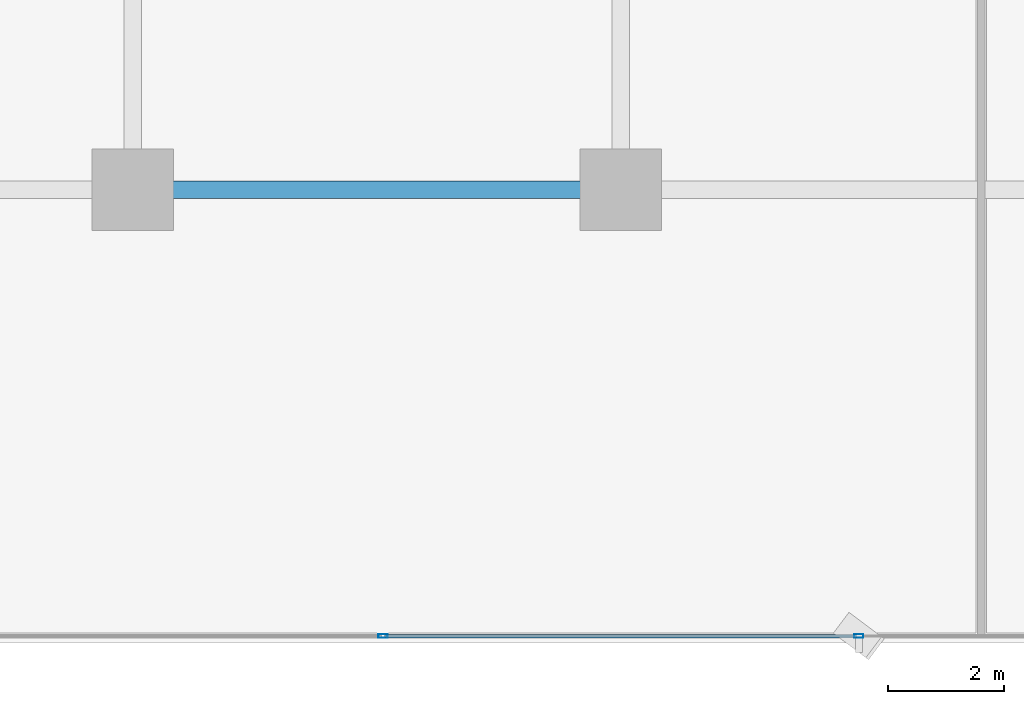
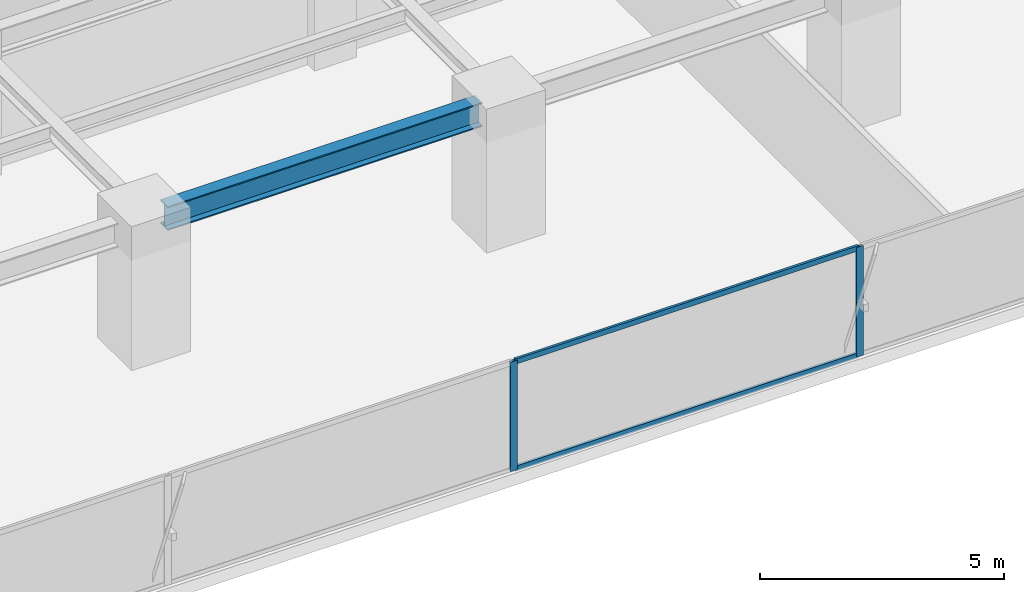
# One storey, part 6 of 36: 4 members, 1 beam, 1 element without a shape of its own.
"""IFC4 building model written with IfcOpenShell, lengths in metres."""

from ifc_helpers import new_model, si_unit, direction, frame, origin, origin_2d, place, context, subcontext, project, spatial, hollow_rectangle, i_section, extrude, source, transform, mapped, material, layer, layer_set, material_profile, profile_set, type_object, element, aggregate, save


model = new_model("IFC4")

# Units and contexts
model_context = context("Model", 3, precision=1e-05, world=origin(), true_north=direction((0.0, 1.0)))
body_context = subcontext(model_context, "Body", "Model", "MODEL_VIEW")
ifc_project = project(units=[si_unit("LENGTHUNIT", "METRE"), si_unit("AREAUNIT", "SQUARE_METRE"), si_unit("VOLUMEUNIT", "CUBIC_METRE"), si_unit("PLANEANGLEUNIT", "RADIAN"), si_unit("MASSUNIT", "GRAM", prefix="KILO")], contexts=[model_context])

# Site, building, storey
site_placement = place(None, origin())
site = spatial("IfcSite", under=ifc_project, at=site_placement, CompositionType="ELEMENT")
building_placement = place(site_placement, origin())
building = spatial("IfcBuilding", under=site, at=building_placement, Name="Sumidabori Civic Tower", CompositionType="ELEMENT")
storey_placement = place(building_placement, frame((0.0, 0.0, 77.60009765625)))
storey = spatial("IfcBuildingStorey", under=building, at=storey_placement, Name="L19", CompositionType="ELEMENT", Elevation=77.60009765625)

# Beam
ifc_material_1 = material(Name="Steel SN490", Category="steel")
ifc_material_profile_1 = material_profile(ifc_material_1, i_section(OverallWidth=0.300048828125, OverallDepth=0.60009765625, WebThickness=0.015380859375, FlangeThickness=0.030029296875, at=origin_2d()), Name="HE 600 B")
ifc_profile_set_1 = profile_set([ifc_material_profile_1], Name="Steel SN490")
beam_type = type_object("IfcBeamType", Name="BM-GIRD-600", PredefinedType="BEAM", material=ifc_profile_set_1)
shared_shape_1 = source(origin(), body_context, "Body", "SweptSolid", [
    extrude(i_section(OverallWidth=0.300048828125, OverallDepth=0.60009765625, WebThickness=0.015380859375, FlangeThickness=0.030029296875, at=origin_2d()), origin(), (0.0, 0.0, 1.0), 7.43994140625),
])
beam_placement = place(storey_placement, frame((-7.919921875, -18.0, 3.059814453125), z_axis=(1.0, 0.0, 0.0), x_axis=(0.0, 1.0, 0.0)))
element("IfcBeam", 1, at=beam_placement, inside=storey, type_object=beam_type, Name="Primary Girder L19 GX-03", PredefinedType="BEAM", context=body_context, shape_type="MappedRepresentation", body=[
    mapped(shared_shape_1, transform((0.0, 0.0, 0.0), x_axis=(1.0, 0.0, 0.0), y_axis=(0.0, 1.0, 0.0), z_axis=(0.0, 0.0, 1.0), scale=1.0)),
])

# Curtain wall, members
ifc_material_2 = material(Name="Anodised Bronze Aluminium AW-6063-T6", Category="aluminium")
ifc_layer = layer(ifc_material_2, 0.179931640625, Name="Anodised Bronze Aluminium AW-6063-T6")
ifc_layer_set = layer_set([ifc_layer], Name="Anodised Bronze Aluminium AW-6063-T6")
curtain_wall_type = type_object("IfcCurtainWallType", Name="CW-SYS-3", PredefinedType="NOTDEFINED", material=ifc_layer_set)
curtain_wall_placement = place(storey_placement, origin())
curtain_wall = element("IfcCurtainWall", 2, at=curtain_wall_placement, inside=storey, type_object=curtain_wall_type, Name="Curtain Wall CW:L19:R01", PredefinedType="NOTDEFINED")
ifc_material_profile_2 = material_profile(ifc_material_2, hollow_rectangle(XDim=0.06494140625, YDim=0.159912109375, WallThickness=0.0048828125, at=origin_2d()), Name="ALU MULLION 160x65")
ifc_profile_set_2 = profile_set([ifc_material_profile_2], Name="Anodised Bronze Aluminium AW-6063-T6")
member_type_1 = type_object("IfcMemberType", Name="CW-MUL-160", PredefinedType="MULLION", material=ifc_profile_set_2)
shared_shape_2 = source(origin(), body_context, "Body", "SweptSolid", [
    extrude(hollow_rectangle(XDim=0.06494140625, YDim=0.159912109375, WallThickness=0.0048828125, at=origin_2d()), origin(), (0.0, 0.0, 1.0), 2.739990234375),
])
member_1_placement = place(storey_placement, frame((-4.093994140625, -25.679931640625, 0.0), z_axis=(0.0, 0.0, 1.0), x_axis=(0.0, 1.0, 0.0)))
member_1 = element("IfcMember", 3, at=member_1_placement, type_object=member_type_1, Name="CW-3 mullion 3", PredefinedType="MULLION", context=body_context, shape_type="MappedRepresentation", body=[
    mapped(shared_shape_2, transform((0.0, 0.0, 0.0), x_axis=(1.0, 0.0, 0.0), y_axis=(0.0, 1.0, 0.0), z_axis=(0.0, 0.0, 1.0), scale=1.0)),
])
member_2_placement = place(storey_placement, frame((4.093994140625, -25.679931640625, 0.0), z_axis=(0.0, 0.0, 1.0), x_axis=(0.0, 1.0, 0.0)))
member_2 = element("IfcMember", 4, at=member_2_placement, type_object=member_type_1, Name="CW-3 mullion 4", PredefinedType="MULLION", context=body_context, shape_type="MappedRepresentation", body=[
    mapped(shared_shape_2, transform((0.0, 0.0, 0.0), x_axis=(1.0, 0.0, 0.0), y_axis=(0.0, 1.0, 0.0), z_axis=(0.0, 0.0, 1.0), scale=1.0)),
])
ifc_material_profile_3 = material_profile(ifc_material_2, hollow_rectangle(XDim=0.06005859375, YDim=0.1298828125, WallThickness=0.0048828125, at=origin_2d()), Name="ALU TRANSOM 130x60")
ifc_profile_set_3 = profile_set([ifc_material_profile_3], Name="Anodised Bronze Aluminium AW-6063-T6")
member_type_2 = type_object("IfcMemberType", Name="CW-TRN-130", PredefinedType="USERDEFINED", material=ifc_profile_set_3)
shared_shape_3 = source(origin(), body_context, "Body", "SweptSolid", [
    extrude(hollow_rectangle(XDim=0.06005859375, YDim=0.1298828125, WallThickness=0.0048828125, at=origin_2d()), origin(), (0.0, 0.0, 1.0), 8.123046875),
])
member_3_placement = place(storey_placement, frame((-4.0615234375, -25.679931640625, 0.02978515625), z_axis=(1.0, 0.0, 0.0), x_axis=(0.0, 1.0, 0.0)))
member_3 = element("IfcMember", 5, at=member_3_placement, type_object=member_type_2, Name="CW-3 transom 3.1", ObjectType="TRANSOM", PredefinedType="USERDEFINED", context=body_context, shape_type="MappedRepresentation", body=[
    mapped(shared_shape_3, transform((0.0, 0.0, 0.0), x_axis=(1.0, 0.0, 0.0), y_axis=(0.0, 1.0, 0.0), z_axis=(0.0, 0.0, 1.0), scale=1.0)),
])
member_4_placement = place(storey_placement, frame((-4.0615234375, -25.679931640625, 2.7099609375), z_axis=(1.0, 0.0, 0.0), x_axis=(0.0, 1.0, 0.0)))
member_4 = element("IfcMember", 6, at=member_4_placement, type_object=member_type_2, Name="CW-3 transom 3.2", ObjectType="TRANSOM", PredefinedType="USERDEFINED", context=body_context, shape_type="MappedRepresentation", body=[
    mapped(shared_shape_3, transform((0.0, 0.0, 0.0), x_axis=(1.0, 0.0, 0.0), y_axis=(0.0, 1.0, 0.0), z_axis=(0.0, 0.0, 1.0), scale=1.0)),
])
aggregate(curtain_wall, [member_1, member_2, member_3, member_4])

save(model, "model.ifc")
